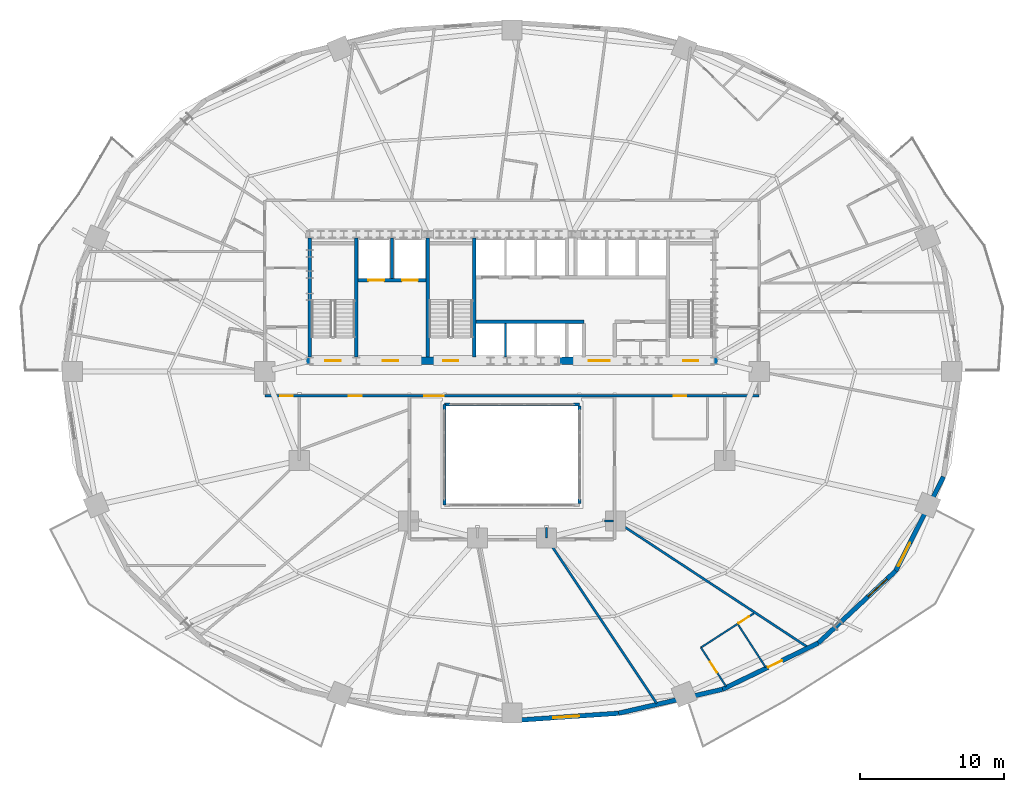
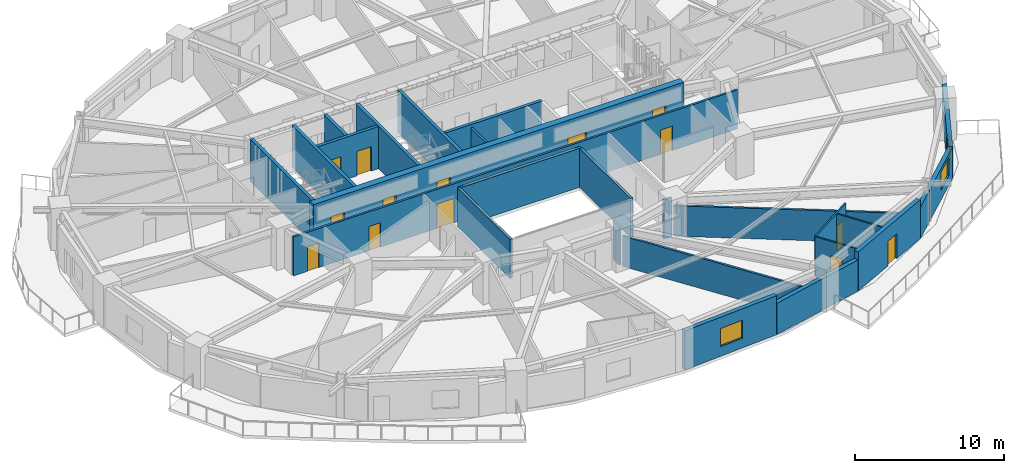
# One storey, part 10 of 17: 25 walls, 14 doors, 3 windows, 17 openings.
"""IFC4 building model written with IfcOpenShell, lengths in metres."""

from ifc_helpers import new_model, si_unit, direction, frame, frame_2d, origin, place, context, subcontext, project, spatial, rectangle, extrude, material, layer, layer_set, type_object, element, fill, save


model = new_model("IFC4")

# Units and contexts
model_context = context("Model", 3, precision=1e-05, world=origin(), true_north=direction((0.0, 1.0)))
body_context = subcontext(model_context, "Body", "Model", "MODEL_VIEW")
ifc_project = project(units=[si_unit("LENGTHUNIT", "METRE"), si_unit("AREAUNIT", "SQUARE_METRE"), si_unit("VOLUMEUNIT", "CUBIC_METRE"), si_unit("PLANEANGLEUNIT", "RADIAN"), si_unit("MASSUNIT", "GRAM", prefix="KILO")], contexts=[model_context])

# Site, building, storey
site_placement = place(None, origin())
site = spatial("IfcSite", under=ifc_project, at=site_placement, CompositionType="ELEMENT")
building_placement = place(site_placement, origin())
building = spatial("IfcBuilding", under=site, at=building_placement, Name="Haldorwick Loom Tower", CompositionType="ELEMENT")
storey_placement = place(building_placement, frame((0.0, 0.0, 58.5)))
storey = spatial("IfcBuildingStorey", under=building, at=storey_placement, Name="L15", CompositionType="ELEMENT", Elevation=58.5)

# Wall, opening, window
ifc_material_1 = material(Name="Pressed Clay Face Brick and Insulated Masonry Backup Assembly", Category="masonry")
ifc_layer_1 = layer(ifc_material_1, 0.320068359375, Name="Pressed Clay Face Brick and Insulated Masonry Backup Assembly", Category="masonry")
ifc_layer_set_1 = layer_set([ifc_layer_1], Name="Pressed Clay Face Brick and Insulated Masonry Backup Assembly")
wall_type_1 = type_object("IfcWallType", Name="ARC-WL-EXT320", PredefinedType="STANDARD", material=ifc_layer_set_1)
wall_1_placement = place(storey_placement, frame((36.0, 1.7099609375, 0.0), z_axis=(0.0, 0.0, 1.0), x_axis=(0.997645161917, 0.068586667092, 0.0)))
wall_1 = element("IfcWall", 1, at=wall_1_placement, inside=storey, type_object=wall_type_1, Name="L15 Brick Pier and Spandrel Wall 19", PredefinedType="STANDARD", context=body_context, shape_type="SweptSolid", body=[
    extrude(rectangle(XDim=7.428955078125, YDim=0.320068359375, at=frame_2d((3.71435546875, 0.0))), origin(), (0.0, 0.0, 1.0), 3.2099609375),
])
opening_1_placement = place(wall_1_placement, frame((2.874755859375, 0.0, 0.800048828125)))
opening_1 = element("IfcOpeningElement", 2, at=opening_1_placement, cuts=wall_1, Name="Opening W-01", PredefinedType="OPENING", context=body_context, shape_type="SweptSolid", body=[
    extrude(rectangle(XDim=1.800048828125, YDim=1.47998046875, at=frame_2d((0.89990234375, 0.739990234375))), frame((0.0, 0.169921875, 0.0), z_axis=(0.0, -1.0, 0.0), x_axis=(1.0, 0.0, 0.0)), (0.0, 0.0, 1.0), 0.340087890625),
])
ifc_material_2 = material(Name="Triple-Glazed Low-E Argon Insulated Glazing Unit", Category="glass")
window_type = type_object("IfcWindowType", Name="ARC-WIN-W180", PartitioningType="SINGLE_PANEL", PredefinedType="WINDOW", material=ifc_material_2)
window_1_placement = place(opening_1_placement, origin())
window_1 = element("IfcWindow", 3, at=window_1_placement, inside=storey, type_object=window_type, Name="L15 Deep-Set Zone 7A Window 19", OverallHeight=1.47998046875, OverallWidth=1.800048828125, PartitioningType="SINGLE_PANEL", PredefinedType="WINDOW", context=body_context, shape_type="SweptSolid", body=[
    extrude(rectangle(XDim=1.800048828125, YDim=1.47998046875, at=frame_2d((0.89990234375, 0.739990234375))), frame((0.0, 0.030029296875, 0.0), z_axis=(0.0, -1.0, 0.0), x_axis=(1.0, 0.0, 0.0)), (0.0, 0.0, 1.0), 0.06005859375),
])
fill(opening_1, window_1)

# Wall
wall_2_placement = place(storey_placement, frame((43.411376953125, 2.219482421875, 0.0), z_axis=(0.0, 0.0, 1.0), x_axis=(0.974522412345, 0.224290142088, 0.0)))
element("IfcWall", 4, at=wall_2_placement, inside=storey, type_object=wall_type_1, Name="L15 Brick Pier and Spandrel Wall 20", PredefinedType="STANDARD", context=body_context, shape_type="SweptSolid", body=[
    extrude(rectangle(XDim=7.422607421875, YDim=0.320068359375, at=frame_2d((3.71142578125, 0.0))), origin(), (0.0, 0.0, 1.0), 2.569091796875),
])

# Wall, opening, door
wall_3_placement = place(storey_placement, frame((50.644775390625, 3.88427734375, 0.0), z_axis=(0.0, 0.0, 1.0), x_axis=(0.900295710431, 0.435278800057, 0.0)))
wall_3 = element("IfcWall", 5, at=wall_3_placement, inside=storey, type_object=wall_type_1, Name="L15 Brick Pier and Spandrel Wall 21", PredefinedType="STANDARD", context=body_context, shape_type="SweptSolid", body=[
    extrude(rectangle(XDim=7.39697265625, YDim=0.320068359375, at=frame_2d((3.698486328125, 0.0))), origin(), (0.0, 0.0, 1.0), 3.2099609375),
])
opening_2_placement = place(wall_3_placement, frame((3.518310546875, 0.0, 0.0)))
opening_2 = element("IfcOpeningElement", 6, at=opening_2_placement, cuts=wall_3, Name="Opening D-BL11", PredefinedType="OPENING", context=body_context, shape_type="SweptSolid", body=[
    extrude(rectangle(XDim=1.080078125, YDim=2.0400390625, at=frame_2d((0.5400390625, 1.02001953125))), frame((0.0, 0.169921875, 0.0), z_axis=(0.0, -1.0, 0.0), x_axis=(1.0, 0.0, 0.0)), (0.0, 0.0, 1.0), 0.340087890625),
])
ifc_material_3 = material(Name="Thermally Broken Anodized Aluminium Curtain Wall Framing", Category="aluminium")
door_type_1 = type_object("IfcDoorType", Name="ARC-DR-BAL110", OperationType="NOTDEFINED", PredefinedType="DOOR", material=ifc_material_3)
door_1_placement = place(opening_2_placement, origin())
door_1 = element("IfcDoor", 7, at=door_1_placement, inside=storey, type_object=door_type_1, Name="L15 Outdoor Terrace Door SLB-L15-BAL_SE", OperationType="SINGLE_SWING_LEFT", OverallHeight=2.0400390625, OverallWidth=1.080078125, PredefinedType="DOOR", context=body_context, shape_type="SweptSolid", body=[
    extrude(rectangle(XDim=1.080078125, YDim=2.0400390625, at=frame_2d((0.5400390625, 1.02001953125))), frame((0.0, 0.02490234375, 0.0), z_axis=(0.0, -1.0, 0.0), x_axis=(1.0, 0.0, 0.0)), (0.0, 0.0, 1.0), 0.050048828125),
])
fill(opening_2, door_1)

# Wall, opening, window
wall_4_placement = place(storey_placement, frame((57.30419921875, 7.10400390625, 0.0), z_axis=(0.0, 0.0, 1.0), x_axis=(0.73176101237, 0.681561311091, 0.0)))
wall_4 = element("IfcWall", 8, at=wall_4_placement, inside=storey, type_object=wall_type_1, Name="L15 Brick Pier and Spandrel Wall 22", PredefinedType="STANDARD", context=body_context, shape_type="SweptSolid", body=[
    extrude(rectangle(XDim=7.3583984375, YDim=0.320068359375, at=frame_2d((3.67919921875, 0.0))), origin(), (0.0, 0.0, 1.0), 2.569091796875),
])
opening_3_placement = place(wall_4_placement, frame((4.736572265625, 0.0, 0.800048828125)))
opening_3 = element("IfcOpeningElement", 9, at=opening_3_placement, cuts=wall_4, Name="Opening W-01", PredefinedType="OPENING", context=body_context, shape_type="SweptSolid", body=[
    extrude(rectangle(XDim=1.800048828125, YDim=1.47998046875, at=frame_2d((0.89990234375, 0.739990234375))), frame((0.0, 0.169921875, 0.0), z_axis=(0.0, -1.0, 0.0), x_axis=(1.0, 0.0, 0.0)), (0.0, 0.0, 1.0), 0.340087890625),
])
window_2_placement = place(opening_3_placement, origin())
window_2 = element("IfcWindow", 10, at=window_2_placement, inside=storey, type_object=window_type, Name="L15 Deep-Set Zone 7A Window 22", OverallHeight=1.47998046875, OverallWidth=1.800048828125, PartitioningType="SINGLE_PANEL", PredefinedType="WINDOW", context=body_context, shape_type="SweptSolid", body=[
    extrude(rectangle(XDim=1.800048828125, YDim=1.47998046875, at=frame_2d((0.89990234375, 0.739990234375))), frame((0.0, 0.030029296875, 0.0), z_axis=(0.0, -1.0, 0.0), x_axis=(1.0, 0.0, 0.0)), (0.0, 0.0, 1.0), 0.06005859375),
])
fill(opening_3, window_2)

wall_5_placement = place(storey_placement, frame((62.688720703125, 12.119140625, 0.0), z_axis=(0.0, 0.0, 1.0), x_axis=(0.452950855928, 0.891535485617, 0.0)))
wall_5 = element("IfcWall", 11, at=wall_5_placement, inside=storey, type_object=wall_type_1, Name="L15 Brick Pier and Spandrel Wall 23", PredefinedType="STANDARD", context=body_context, shape_type="SweptSolid", body=[
    extrude(rectangle(XDim=7.3583984375, YDim=0.320068359375, at=frame_2d((3.67919921875, 0.0))), origin(), (0.0, 0.0, 1.0), 2.569091796875),
])
opening_4_placement = place(wall_5_placement, frame((0.400146484375, 0.0, 0.800048828125)))
opening_4 = element("IfcOpeningElement", 12, at=opening_4_placement, cuts=wall_5, Name="Opening W-01", PredefinedType="OPENING", context=body_context, shape_type="SweptSolid", body=[
    extrude(rectangle(XDim=1.800048828125, YDim=1.47998046875, at=frame_2d((0.89990234375, 0.739990234375))), frame((0.0, 0.169921875, 0.0), z_axis=(0.0, -1.0, 0.0), x_axis=(1.0, 0.0, 0.0)), (0.0, 0.0, 1.0), 0.340087890625),
])
window_3_placement = place(opening_4_placement, origin())
window_3 = element("IfcWindow", 13, at=window_3_placement, inside=storey, type_object=window_type, Name="L15 Deep-Set Zone 7A Window 23", OverallHeight=1.47998046875, OverallWidth=1.800048828125, PartitioningType="SINGLE_PANEL", PredefinedType="WINDOW", context=body_context, shape_type="SweptSolid", body=[
    extrude(rectangle(XDim=1.800048828125, YDim=1.47998046875, at=frame_2d((0.89990234375, 0.739990234375))), frame((0.0, 0.030029296875, 0.0), z_axis=(0.0, -1.0, 0.0), x_axis=(1.0, 0.0, 0.0)), (0.0, 0.0, 1.0), 0.06005859375),
])
fill(opening_4, window_3)

# Wall, openings, doors
ifc_material_4 = material(Name="Fire-Rated Type X Gypsum Stud Assembly EI 60")
ifc_layer_2 = layer(ifc_material_4, 0.159912109375, Name="Fire-Rated Type X Gypsum Stud Assembly EI 60")
ifc_layer_set_2 = layer_set([ifc_layer_2], Name="Fire-Rated Type X Gypsum Stud Assembly EI 60")
wall_type_2 = type_object("IfcWallType", Name="ARC-WL-FIRE160", PredefinedType="PARTITIONING", material=ifc_layer_set_2)
wall_6_placement = place(storey_placement, frame((18.800048828125, 24.300048828125, 0.0), z_axis=(0.0, 0.0, 1.0), x_axis=(1.0, 0.0, 0.0)))
wall_6 = element("IfcWall", 14, at=wall_6_placement, inside=storey, type_object=wall_type_2, Name="L15 Residential Fire Partition L15-CR-SP", PredefinedType="PARTITIONING", context=body_context, shape_type="SweptSolid", body=[
    extrude(rectangle(XDim=34.39990234375, YDim=0.159912109375, at=frame_2d((17.199951171875, 0.0))), origin(), (0.0, 0.0, 1.0), 3.195068359375),
])
opening_5_placement = place(wall_6_placement, frame((11.085693359375, 0.0, 0.0)))
opening_5 = element("IfcOpeningElement", 15, at=opening_5_placement, cuts=wall_6, Name="Opening D-CR15", PredefinedType="OPENING", context=body_context, shape_type="SweptSolid", body=[
    extrude(rectangle(XDim=1.35009765625, YDim=2.0, at=frame_2d((0.675048828125, 1.0))), frame((0.0, 0.08984375, 0.0), z_axis=(0.0, -1.0, 0.0), x_axis=(1.0, 0.0, 0.0)), (0.0, 0.0, 1.0), 0.179931640625),
])
opening_6_placement = place(wall_6_placement, frame((5.834716796875, 0.0, 0.0)))
opening_6 = element("IfcOpeningElement", 16, at=opening_6_placement, cuts=wall_6, Name="Opening D-FD60A", PredefinedType="OPENING", context=body_context, shape_type="SweptSolid", body=[
    extrude(rectangle(XDim=0.89990234375, YDim=2.0, at=frame_2d((0.449951171875, 1.0))), frame((0.0, 0.08984375, 0.0), z_axis=(0.0, -1.0, 0.0), x_axis=(1.0, 0.0, 0.0)), (0.0, 0.0, 1.0), 0.179931640625),
])
opening_7_placement = place(wall_6_placement, frame((28.437255859375, 0.0, 0.0)))
opening_7 = element("IfcOpeningElement", 17, at=opening_7_placement, cuts=wall_6, Name="Opening D-FD60A", PredefinedType="OPENING", context=body_context, shape_type="SweptSolid", body=[
    extrude(rectangle(XDim=0.89990234375, YDim=2.0, at=frame_2d((0.449951171875, 1.0))), frame((0.0, 0.08984375, 0.0), z_axis=(0.0, -1.0, 0.0), x_axis=(1.0, 0.0, 0.0)), (0.0, 0.0, 1.0), 0.179931640625),
])
opening_8_placement = place(wall_6_placement, frame((1.063232421875, 0.0, 0.0)))
opening_8 = element("IfcOpeningElement", 18, at=opening_8_placement, cuts=wall_6, Name="Opening D-FD60A", PredefinedType="OPENING", context=body_context, shape_type="SweptSolid", body=[
    extrude(rectangle(XDim=0.89990234375, YDim=2.0, at=frame_2d((0.449951171875, 1.0))), frame((0.0, 0.08984375, 0.0), z_axis=(0.0, -1.0, 0.0), x_axis=(1.0, 0.0, 0.0)), (0.0, 0.0, 1.0), 0.179931640625),
])
ifc_material_5 = material(Name="Thermally Broken Anodized Aluminium and Tempered Glass", Category="aluminium")
door_type_2 = type_object("IfcDoorType", Name="ARC-DR-COR150", OperationType="NOTDEFINED", PredefinedType="DOOR", material=ifc_material_5)
door_2_placement = place(opening_5_placement, origin())
door_2 = element("IfcDoor", 19, at=door_2_placement, inside=storey, type_object=door_type_2, Name="L15 L15 Central Residential Corridor to L15 South Atrium Corridor Door", OperationType="DOUBLE_DOOR_SINGLE_SWING", OverallHeight=2.0, OverallWidth=1.35009765625, PredefinedType="DOOR", context=body_context, shape_type="SweptSolid", body=[
    extrude(rectangle(XDim=1.35009765625, YDim=2.0, at=frame_2d((0.675048828125, 1.0))), frame((0.0, 0.02490234375, 0.0), z_axis=(0.0, -1.0, 0.0), x_axis=(1.0, 0.0, 0.0)), (0.0, 0.0, 1.0), 0.050048828125),
])
fill(opening_5, door_2)
ifc_material_6 = material(Name="Hollow Steel Fire Door Assembly", Category="steel")
door_type_3 = type_object("IfcDoorType", Name="ARC-DR-FD60-90", OperationType="NOTDEFINED", PredefinedType="DOOR", material=ifc_material_6)
door_3_placement = place(opening_6_placement, origin())
door_3 = element("IfcDoor", 20, at=door_3_placement, inside=storey, type_object=door_type_3, Name="L15 L15 Central Residential Corridor to Shared Dining Hall 1 Door", OperationType="SINGLE_SWING_RIGHT", OverallHeight=2.0, OverallWidth=0.89990234375, PredefinedType="DOOR", context=body_context, shape_type="SweptSolid", body=[
    extrude(rectangle(XDim=0.89990234375, YDim=2.0, at=frame_2d((0.449951171875, 1.0))), frame((0.0, 0.02490234375, 0.0), z_axis=(0.0, -1.0, 0.0), x_axis=(1.0, 0.0, 0.0)), (0.0, 0.0, 1.0), 0.050048828125),
])
fill(opening_6, door_3)
door_4_placement = place(opening_7_placement, origin())
door_4 = element("IfcDoor", 21, at=door_4_placement, inside=storey, type_object=door_type_3, Name="L15 L15 Central Residential Corridor to Common Accessible WC Door", OperationType="SINGLE_SWING_LEFT", OverallHeight=2.0, OverallWidth=0.89990234375, PredefinedType="DOOR", context=body_context, shape_type="SweptSolid", body=[
    extrude(rectangle(XDim=0.89990234375, YDim=2.0, at=frame_2d((0.449951171875, 1.0))), frame((0.0, 0.02490234375, 0.0), z_axis=(0.0, -1.0, 0.0), x_axis=(1.0, 0.0, 0.0)), (0.0, 0.0, 1.0), 0.050048828125),
])
fill(opening_7, door_4)
door_5_placement = place(opening_8_placement, origin())
door_5 = element("IfcDoor", 22, at=door_5_placement, inside=storey, type_object=door_type_3, Name="L15 L15 Central Residential Corridor to Co-Working Open Office 6 Door", OperationType="SINGLE_SWING_RIGHT", OverallHeight=2.0, OverallWidth=0.89990234375, PredefinedType="DOOR", context=body_context, shape_type="SweptSolid", body=[
    extrude(rectangle(XDim=0.89990234375, YDim=2.0, at=frame_2d((0.449951171875, 1.0))), frame((0.0, 0.02490234375, 0.0), z_axis=(0.0, -1.0, 0.0), x_axis=(1.0, 0.0, 0.0)), (0.0, 0.0, 1.0), 0.050048828125),
])
fill(opening_8, door_5)

# Walls
wall_7_placement = place(storey_placement, frame((43.23291015625, 15.578369140625, 0.0), z_axis=(0.0, 0.0, 1.0), x_axis=(0.835758656333, -0.549096957161, 0.0)))
element("IfcWall", 23, at=wall_7_placement, inside=storey, type_object=wall_type_2, Name="L15 Residential Fire Partition L15-ICR-04", PredefinedType="PARTITIONING", context=body_context, shape_type="SweptSolid", body=[
    extrude(rectangle(XDim=15.95263671875, YDim=0.159912109375, at=frame_2d((7.976318359375, 0.0))), origin(), (0.0, 0.0, 1.0), 2.489990234375),
])
wall_8_placement = place(storey_placement, frame((38.52197265625, 14.217041015625, 0.0), z_axis=(0.0, 0.0, 1.0), x_axis=(0.55469605481, -0.832053055266, 0.0)))
element("IfcWall", 24, at=wall_8_placement, inside=storey, type_object=wall_type_2, Name="L15 Residential Fire Partition L15-ICR-06", PredefinedType="PARTITIONING", context=body_context, shape_type="SweptSolid", body=[
    extrude(rectangle(XDim=13.60400390625, YDim=0.159912109375, at=frame_2d((6.802001953125, 0.0))), origin(), (0.0, 0.0, 1.0), 2.489990234375),
])
wall_9_placement = place(storey_placement, frame((42.449951171875, 15.60009765625, 0.0), z_axis=(0.0, 0.0, 1.0), x_axis=(1.0, 0.0, 0.0)))
element("IfcWall", 25, at=wall_9_placement, inside=storey, type_object=wall_type_2, Name="L15 Residential Fire Partition L15-ICA-03", PredefinedType="PARTITIONING", context=body_context, shape_type="SweptSolid", body=[
    extrude(rectangle(XDim=0.616943359375, YDim=0.159912109375, at=frame_2d((0.30859375, 0.0))), origin(), (0.0, 0.0, 1.0), 3.195068359375),
])
wall_10_placement = place(storey_placement, frame((38.39990234375, 15.14990234375, 0.0), z_axis=(0.0, 0.0, 1.0), x_axis=(0.0, -1.0, 0.0)))
element("IfcWall", 26, at=wall_10_placement, inside=storey, type_object=wall_type_2, Name="L15 Residential Fire Partition L15-ICA-05", PredefinedType="PARTITIONING", context=body_context, shape_type="SweptSolid", body=[
    extrude(rectangle(XDim=0.75, YDim=0.159912109375, at=frame_2d((0.375, 0.0))), origin(), (0.0, 0.0, 1.0), 3.195068359375),
])
ifc_material_7 = material(Name="Fire-Rated Type X Gypsum Stud Assembly EI 120")
ifc_layer_3 = layer(ifc_material_7, 0.199951171875, Name="Fire-Rated Type X Gypsum Stud Assembly EI 120")
ifc_layer_set_3 = layer_set([ifc_layer_3], Name="Fire-Rated Type X Gypsum Stud Assembly EI 120")
wall_type_3 = type_object("IfcWallType", Name="ARC-WL-FIRE200", PredefinedType="PARTITIONING", material=ifc_layer_set_3)
wall_11_placement = place(storey_placement, frame((31.300048828125, 23.699951171875, 0.0), z_axis=(0.0, 0.0, 1.0), x_axis=(1.0, 0.0, 0.0)))
element("IfcWall", 27, at=wall_11_placement, inside=storey, type_object=wall_type_3, Name="L15 Atrium Fire Enclosure Wall N", PredefinedType="PARTITIONING", context=body_context, shape_type="SweptSolid", body=[
    extrude(rectangle(XDim=9.39990234375, YDim=0.199951171875, at=frame_2d((4.699951171875, 0.0))), origin(), (0.0, 0.0, 1.0), 3.195068359375),
])
wall_12_placement = place(storey_placement, frame((31.300048828125, 16.699951171875, 0.0), z_axis=(0.0, 0.0, 1.0), x_axis=(0.0, 1.0, 0.0)))
element("IfcWall", 28, at=wall_12_placement, inside=storey, type_object=wall_type_3, Name="L15 Atrium Fire Enclosure Wall W", PredefinedType="PARTITIONING", context=body_context, shape_type="SweptSolid", body=[
    extrude(rectangle(XDim=7.0, YDim=0.199951171875, at=frame_2d((3.5, 0.0))), origin(), (0.0, 0.0, 1.0), 3.195068359375),
])
wall_13_placement = place(storey_placement, frame((40.699951171875, 23.596923828125, 0.0), z_axis=(0.0, 0.0, 1.0), x_axis=(0.0, -1.0, 0.0)))
element("IfcWall", 29, at=wall_13_placement, inside=storey, type_object=wall_type_3, Name="L15 Atrium Fire Enclosure Wall E", PredefinedType="PARTITIONING", context=body_context, shape_type="SweptSolid", body=[
    extrude(rectangle(XDim=6.7939453125, YDim=0.199951171875, at=frame_2d((3.39697265625, 0.0))), origin(), (0.0, 0.0, 1.0), 3.195068359375),
])

# Wall, opening, door
ifc_material_8 = material(Name="Acoustic Gypsum Stud Assembly STC 55")
ifc_layer_4 = layer(ifc_material_8, 0.1201171875, Name="Acoustic Gypsum Stud Assembly STC 55")
ifc_layer_set_4 = layer_set([ifc_layer_4], Name="Acoustic Gypsum Stud Assembly STC 55")
wall_type_4 = type_object("IfcWallType", Name="ARC-WL-PART120", PredefinedType="PARTITIONING", material=ifc_layer_set_4)
wall_14_placement = place(storey_placement, frame((49.145263671875, 6.7900390625, 0.0), z_axis=(0.0, 0.0, 1.0), x_axis=(0.839963858336, 0.542642346937, 0.0)))
wall_14 = element("IfcWall", 30, at=wall_14_placement, inside=storey, type_object=wall_type_4, Name="L15 Unit 15C Interior Partition", PredefinedType="PARTITIONING", context=body_context, shape_type="SweptSolid", body=[
    extrude(rectangle(XDim=4.389892578125, YDim=0.1201171875, at=frame_2d((2.19482421875, 0.0))), origin(), (0.0, 0.0, 1.0), 3.195068359375),
])
opening_9_placement = place(wall_14_placement, frame((3.112060546875, 0.0, 0.0)))
opening_9 = element("IfcOpeningElement", 31, at=opening_9_placement, cuts=wall_14, Name="Opening D-BT88", PredefinedType="OPENING", context=body_context, shape_type="SweptSolid", body=[
    extrude(rectangle(XDim=0.8798828125, YDim=2.02001953125, at=frame_2d((0.43994140625, 1.010009765625))), frame((0.0, 0.070068359375, 0.0), z_axis=(0.0, -1.0, 0.0), x_axis=(1.0, 0.0, 0.0)), (0.0, 0.0, 1.0), 0.14013671875),
])
ifc_material_9 = material(Name="Solid Core Birch Architectural Door")
door_type_4 = type_object("IfcDoorType", Name="ARC-DR-BATH88", OperationType="NOTDEFINED", PredefinedType="DOOR", material=ifc_material_9)
door_6_placement = place(opening_9_placement, origin())
door_6 = element("IfcDoor", 32, at=door_6_placement, inside=storey, type_object=door_type_4, Name="L15 Unit 15C Kitchen and Living Room to Unit 15C Bedroom 1 Door", OperationType="SINGLE_SWING_LEFT", OverallHeight=2.02001953125, OverallWidth=0.8798828125, PredefinedType="DOOR", context=body_context, shape_type="SweptSolid", body=[
    extrude(rectangle(XDim=0.8798828125, YDim=2.02001953125, at=frame_2d((0.43994140625, 1.010009765625))), frame((0.0, 0.02490234375, 0.0), z_axis=(0.0, -1.0, 0.0), x_axis=(1.0, 0.0, 0.0)), (0.0, 0.0, 1.0), 0.050048828125),
])
fill(opening_9, door_6)

wall_15_placement = place(storey_placement, frame((49.145263671875, 6.7900390625, 0.0), z_axis=(0.0, 0.0, 1.0), x_axis=(0.542705536081, -0.839923032847, 0.0)))
wall_15 = element("IfcWall", 33, at=wall_15_placement, inside=storey, type_object=wall_type_4, Name="L15 Unit 15C Interior Partition", PredefinedType="PARTITIONING", context=body_context, shape_type="SweptSolid", body=[
    extrude(rectangle(XDim=3.228271484375, YDim=0.1201171875, at=frame_2d((1.6142578125, 0.0))), origin(), (0.0, 0.0, 1.0), 3.195068359375),
])
opening_10_placement = place(wall_15_placement, frame((1.174072265625, 0.0, 0.0)))
opening_10 = element("IfcOpeningElement", 34, at=opening_10_placement, cuts=wall_15, Name="Opening D-BT88", PredefinedType="OPENING", context=body_context, shape_type="SweptSolid", body=[
    extrude(rectangle(XDim=0.8798828125, YDim=2.02001953125, at=frame_2d((0.43994140625, 1.010009765625))), frame((0.0, 0.070068359375, 0.0), z_axis=(0.0, -1.0, 0.0), x_axis=(1.0, 0.0, 0.0)), (0.0, 0.0, 1.0), 0.14013671875),
])
door_7_placement = place(opening_10_placement, origin())
door_7 = element("IfcDoor", 35, at=door_7_placement, inside=storey, type_object=door_type_4, Name="L15 Unit 15C Bathroom to Unit 15C Kitchen and Living Room Door", OperationType="SINGLE_SWING_LEFT", OverallHeight=2.02001953125, OverallWidth=0.8798828125, PredefinedType="DOOR", context=body_context, shape_type="SweptSolid", body=[
    extrude(rectangle(XDim=0.8798828125, YDim=2.02001953125, at=frame_2d((0.43994140625, 1.010009765625))), frame((0.0, 0.02490234375, 0.0), z_axis=(0.0, -1.0, 0.0), x_axis=(1.0, 0.0, 0.0)), (0.0, 0.0, 1.0), 0.050048828125),
])
fill(opening_10, door_7)

# Walls
wall_16_placement = place(storey_placement, frame((51.7294921875, 8.384521484375, 0.0), z_axis=(0.0, 0.0, 1.0), x_axis=(0.542679471731, -0.839939873421, 0.0)))
element("IfcWall", 36, at=wall_16_placement, inside=storey, type_object=wall_type_4, Name="L15 Unit 15C Interior Partition", PredefinedType="PARTITIONING", context=body_context, shape_type="SweptSolid", body=[
    extrude(rectangle(XDim=3.54150390625, YDim=0.1201171875, at=frame_2d((1.770751953125, 0.0))), origin(), (0.0, 0.0, 1.0), 3.195068359375),
])
ifc_layer_5 = layer(ifc_material_7, 0.1650390625, Name="Fire-Rated Type X Gypsum Stud Assembly EI 120")
ifc_layer_set_5 = layer_set([ifc_layer_5], Name="Fire-Rated Type X Gypsum Stud Assembly EI 120")
wall_type_5 = type_object("IfcWallType", Name="ARC-WL-SHAFT160", PredefinedType="MOVABLE", material=ifc_layer_set_5)
wall_17_placement = place(storey_placement, frame((35.550048828125, 27.0029296875, 0.0), z_axis=(0.0, 0.0, 1.0), x_axis=(0.0, 1.0, 0.0)))
element("IfcWall", 37, at=wall_17_placement, inside=storey, type_object=wall_type_5, Name="L15 Mid-Rise Hoistway Divider 1", PredefinedType="MOVABLE", context=body_context, shape_type="SweptSolid", body=[
    extrude(rectangle(XDim=2.323974609375, YDim=0.159912109375, at=frame_2d((1.162109375, 0.0))), origin(), (0.0, 0.0, 1.0), 3.195068359375),
])

# Wall, openings, doors
ifc_material_10 = material(Name="Concrete C60 (60 MPa)", Category="concrete")
ifc_layer_6 = layer(ifc_material_10, 0.5, Name="Concrete C60 (60 MPa)", Category="concrete")
ifc_layer_set_6 = layer_set([ifc_layer_6], Name="Concrete C60 (60 MPa)")
wall_type_6 = type_object("IfcWallType", Name="STR-WL-CORE500", PredefinedType="SHEAR", material=ifc_layer_set_6)
wall_18_placement = place(storey_placement, frame((21.64990234375, 26.75, 0.0), z_axis=(0.0, 0.0, 1.0), x_axis=(1.0, 0.0, 0.0)))
wall_18 = element("IfcWall", 38, at=wall_18_placement, inside=storey, type_object=wall_type_6, Name="L15 Core Shear Wall S", PredefinedType="SHEAR", context=body_context, shape_type="SweptSolid", body=[
    extrude(rectangle(XDim=28.7001953125, YDim=0.5, at=frame_2d((14.35009765625, 0.0))), origin(), (0.0, 0.0, 1.0), 3.449951171875),
])
opening_11_placement = place(wall_18_placement, frame((1.375, 0.0, 0.0)))
opening_11 = element("IfcOpeningElement", 39, at=opening_11_placement, cuts=wall_18, Name="Opening D-FD60", PredefinedType="OPENING", context=body_context, shape_type="SweptSolid", body=[
    extrude(rectangle(XDim=1.050048828125, YDim=2.0, at=frame_2d((0.52490234375, 1.0))), frame((0.0, 0.260009765625, 0.0), z_axis=(0.0, -1.0, 0.0), x_axis=(1.0, 0.0, 0.0)), (0.0, 0.0, 1.0), 0.52001953125),
])
opening_12_placement = place(wall_18_placement, frame((5.375, 0.0, 0.0)))
opening_12 = element("IfcOpeningElement", 40, at=opening_12_placement, cuts=wall_18, Name="Opening D-FD60", PredefinedType="OPENING", context=body_context, shape_type="SweptSolid", body=[
    extrude(rectangle(XDim=1.050048828125, YDim=2.0, at=frame_2d((0.52490234375, 1.0))), frame((0.0, 0.260009765625, 0.0), z_axis=(0.0, -1.0, 0.0), x_axis=(1.0, 0.0, 0.0)), (0.0, 0.0, 1.0), 0.52001953125),
])
opening_13_placement = place(wall_18_placement, frame((9.574951171875, 0.0, 0.0)))
opening_13 = element("IfcOpeningElement", 41, at=opening_13_placement, cuts=wall_18, Name="Opening D-FD60", PredefinedType="OPENING", context=body_context, shape_type="SweptSolid", body=[
    extrude(rectangle(XDim=1.050048828125, YDim=2.0, at=frame_2d((0.52490234375, 1.0))), frame((0.0, 0.260009765625, 0.0), z_axis=(0.0, -1.0, 0.0), x_axis=(1.0, 0.0, 0.0)), (0.0, 0.0, 1.0), 0.52001953125),
])
opening_14_placement = place(wall_18_placement, frame((19.705078125, 0.0, 0.0)))
opening_14 = element("IfcOpeningElement", 42, at=opening_14_placement, cuts=wall_18, Name="Opening D-LB15", PredefinedType="OPENING", context=body_context, shape_type="SweptSolid", body=[
    extrude(rectangle(XDim=1.449951171875, YDim=2.0, at=frame_2d((0.72509765625, 1.0))), frame((0.0, 0.260009765625, 0.0), z_axis=(0.0, -1.0, 0.0), x_axis=(1.0, 0.0, 0.0)), (0.0, 0.0, 1.0), 0.52001953125),
])
opening_15_placement = place(wall_18_placement, frame((26.27490234375, 0.0, 0.0)))
opening_15 = element("IfcOpeningElement", 43, at=opening_15_placement, cuts=wall_18, Name="Opening D-FD60", PredefinedType="OPENING", context=body_context, shape_type="SweptSolid", body=[
    extrude(rectangle(XDim=1.050048828125, YDim=2.0, at=frame_2d((0.52490234375, 1.0))), frame((0.0, 0.260009765625, 0.0), z_axis=(0.0, -1.0, 0.0), x_axis=(1.0, 0.0, 0.0)), (0.0, 0.0, 1.0), 0.52001953125),
])
door_type_5 = type_object("IfcDoorType", Name="ARC-DR-FD60", OperationType="NOTDEFINED", PredefinedType="DOOR", material=ifc_material_6)
door_8_placement = place(opening_11_placement, origin())
door_8 = element("IfcDoor", 44, at=door_8_placement, inside=storey, type_object=door_type_5, Name="L15 Exit Stair ST-01 Fire Door", OperationType="SINGLE_SWING_LEFT", OverallHeight=2.0, OverallWidth=1.050048828125, PredefinedType="DOOR", context=body_context, shape_type="SweptSolid", body=[
    extrude(rectangle(XDim=1.050048828125, YDim=2.0, at=frame_2d((0.52490234375, 1.0))), frame((0.0, 0.02490234375, 0.0), z_axis=(0.0, -1.0, 0.0), x_axis=(1.0, 0.0, 0.0)), (0.0, 0.0, 1.0), 0.050048828125),
])
fill(opening_11, door_8)
door_9_placement = place(opening_12_placement, origin())
door_9 = element("IfcDoor", 45, at=door_9_placement, inside=storey, type_object=door_type_5, Name="L15 Firefighting Lift Lobby Fire Door", OperationType="SINGLE_SWING_RIGHT", OverallHeight=2.0, OverallWidth=1.050048828125, PredefinedType="DOOR", context=body_context, shape_type="SweptSolid", body=[
    extrude(rectangle(XDim=1.050048828125, YDim=2.0, at=frame_2d((0.52490234375, 1.0))), frame((0.0, 0.02490234375, 0.0), z_axis=(0.0, -1.0, 0.0), x_axis=(1.0, 0.0, 0.0)), (0.0, 0.0, 1.0), 0.050048828125),
])
fill(opening_12, door_9)
door_10_placement = place(opening_13_placement, origin())
door_10 = element("IfcDoor", 46, at=door_10_placement, inside=storey, type_object=door_type_5, Name="L15 Exit Stair ST-03 Fire Door", OperationType="SINGLE_SWING_LEFT", OverallHeight=2.0, OverallWidth=1.050048828125, PredefinedType="DOOR", context=body_context, shape_type="SweptSolid", body=[
    extrude(rectangle(XDim=1.050048828125, YDim=2.0, at=frame_2d((0.52490234375, 1.0))), frame((0.0, 0.02490234375, 0.0), z_axis=(0.0, -1.0, 0.0), x_axis=(1.0, 0.0, 0.0)), (0.0, 0.0, 1.0), 0.050048828125),
])
fill(opening_13, door_10)
door_11_placement = place(opening_15_placement, origin())
door_11 = element("IfcDoor", 47, at=door_11_placement, inside=storey, type_object=door_type_5, Name="L15 Exit Stair ST-02 Fire Door", OperationType="SINGLE_SWING_LEFT", OverallHeight=2.0, OverallWidth=1.050048828125, PredefinedType="DOOR", context=body_context, shape_type="SweptSolid", body=[
    extrude(rectangle(XDim=1.050048828125, YDim=2.0, at=frame_2d((0.52490234375, 1.0))), frame((0.0, 0.02490234375, 0.0), z_axis=(0.0, -1.0, 0.0), x_axis=(1.0, 0.0, 0.0)), (0.0, 0.0, 1.0), 0.050048828125),
])
fill(opening_15, door_11)
door_type_6 = type_object("IfcDoorType", Name="ARC-DR-LOB150", OperationType="NOTDEFINED", PredefinedType="DOOR", material=ifc_material_5)
door_12_placement = place(opening_14_placement, frame((1.449951171875, 0.0, 0.0), z_axis=(0.0, 0.0, 1.0), x_axis=(-1.0, 0.0, 0.0)))
door_12 = element("IfcDoor", 48, at=door_12_placement, inside=storey, type_object=door_type_6, Name="L15 Passenger Lift Lobby Fire Door", OperationType="DOUBLE_DOOR_SINGLE_SWING", OverallHeight=2.0, OverallWidth=1.449951171875, PredefinedType="DOOR", context=body_context, shape_type="SweptSolid", body=[
    extrude(rectangle(XDim=1.449951171875, YDim=2.0, at=frame_2d((0.72509765625, 1.0))), frame((0.0, 0.02490234375, 0.0), z_axis=(0.0, -1.0, 0.0), x_axis=(1.0, 0.0, 0.0)), (0.0, 0.0, 1.0), 0.050048828125),
])
fill(opening_14, door_12)

# Walls
ifc_material_11 = material(Name="Concrete C50 (50 MPa)", Category="concrete")
ifc_layer_7 = layer(ifc_material_11, 0.239990234375, Name="Concrete C50 (50 MPa)", Category="concrete")
ifc_layer_set_7 = layer_set([ifc_layer_7], Name="Concrete C50 (50 MPa)")
wall_type_7 = type_object("IfcWallType", Name="STR-WL-SHAFT240", PredefinedType="SHEAR", material=ifc_layer_set_7)
for number, where, z_axis, x_axis, name in (
    (49, (21.929931640625, 35.297119140625, 0.0), (0.0, 0.0, 1.0), (0.0, -1.0, 0.0), "L15 Core Shear Wall W"),
    (50, (25.169921875, 27.0029296875, 0.0), (0.0, 0.0, 1.0), (0.0, 1.0, 0.0), "L15 Core Shear Wall 1"),
    (51, (30.1298828125, 27.0029296875, 0.0), (0.0, 0.0, 1.0), (0.0, 1.0, 0.0), "L15 Core Shear Wall 2"),
    (52, (33.3701171875, 27.0029296875, 0.0), (0.0, 0.0, 1.0), (0.0, 1.0, 0.0), "L15 Core Shear Wall 3"),
):
    element("IfcWall", number, at=place(storey_placement, frame(where, z_axis=z_axis, x_axis=x_axis)), inside=storey, type_object=wall_type_7, Name=name, PredefinedType="SHEAR", context=body_context, shape_type="SweptSolid", body=[
        extrude(rectangle(XDim=8.294189453125, YDim=0.239990234375, at=frame_2d((4.14697265625, 0.0))), origin(), (0.0, 0.0, 1.0), 3.449951171875),
    ])

# Wall, openings, doors
wall_19_placement = place(storey_placement, frame((25.29296875, 32.35009765625, 0.0), z_axis=(0.0, 0.0, 1.0), x_axis=(1.0, 0.0, 0.0)))
wall_19 = element("IfcWall", 53, at=wall_19_placement, inside=storey, type_object=wall_type_7, Name="L15 Core Shear Wall FF", PredefinedType="SHEAR", context=body_context, shape_type="SweptSolid", body=[
    extrude(rectangle(XDim=4.714111328125, YDim=0.239990234375, at=frame_2d((2.35693359375, 0.0))), origin(), (0.0, 0.0, 1.0), 3.449951171875),
])
opening_16_placement = place(wall_19_placement, frame((0.70703125, 0.0, 0.0)))
opening_16 = element("IfcOpeningElement", 54, at=opening_16_placement, cuts=wall_19, Name="Opening LD-FF1", PredefinedType="OPENING", context=body_context, shape_type="SweptSolid", body=[
    extrude(rectangle(XDim=1.10009765625, YDim=2.0, at=frame_2d((0.550048828125, 1.0))), frame((0.0, 0.1298828125, 0.0), z_axis=(0.0, -1.0, 0.0), x_axis=(1.0, 0.0, 0.0)), (0.0, 0.0, 1.0), 0.260009765625),
])
opening_17_placement = place(wall_19_placement, frame((3.056884765625, 0.0, 0.0)))
opening_17 = element("IfcOpeningElement", 55, at=opening_17_placement, cuts=wall_19, Name="Opening LD-FF2", PredefinedType="OPENING", context=body_context, shape_type="SweptSolid", body=[
    extrude(rectangle(XDim=1.10009765625, YDim=2.0, at=frame_2d((0.550048828125, 1.0))), frame((0.0, 0.1298828125, 0.0), z_axis=(0.0, -1.0, 0.0), x_axis=(1.0, 0.0, 0.0)), (0.0, 0.0, 1.0), 0.260009765625),
])
door_type_7 = type_object("IfcDoorType", Name="ARC-DR-LD-FF", OperationType="NOTDEFINED", PredefinedType="USERDEFINED", material=ifc_material_6)
door_13_placement = place(opening_16_placement, origin())
door_13 = element("IfcDoor", 56, at=door_13_placement, inside=storey, type_object=door_type_7, Name="L15 Lift LF-FF1 Sliding Landing Door", ObjectType="LANDING DOOR", OperationType="DOUBLE_DOOR_SLIDING", OverallHeight=2.0, OverallWidth=1.10009765625, PredefinedType="USERDEFINED", context=body_context, shape_type="SweptSolid", body=[
    extrude(rectangle(XDim=1.10009765625, YDim=2.0, at=frame_2d((0.550048828125, 1.0))), frame((0.0, 0.02490234375, 0.0), z_axis=(0.0, -1.0, 0.0), x_axis=(1.0, 0.0, 0.0)), (0.0, 0.0, 1.0), 0.050048828125),
])
fill(opening_16, door_13)
door_14_placement = place(opening_17_placement, origin())
door_14 = element("IfcDoor", 57, at=door_14_placement, inside=storey, type_object=door_type_7, Name="L15 Lift LF-FF2 Sliding Landing Door", ObjectType="LANDING DOOR", OperationType="DOUBLE_DOOR_SLIDING", OverallHeight=2.0, OverallWidth=1.10009765625, PredefinedType="USERDEFINED", context=body_context, shape_type="SweptSolid", body=[
    extrude(rectangle(XDim=1.10009765625, YDim=2.0, at=frame_2d((0.550048828125, 1.0))), frame((0.0, 0.02490234375, 0.0), z_axis=(0.0, -1.0, 0.0), x_axis=(1.0, 0.0, 0.0)), (0.0, 0.0, 1.0), 0.050048828125),
])
fill(opening_17, door_14)

# Walls
wall_20_placement = place(storey_placement, frame((27.64990234375, 32.472900390625, 0.0), z_axis=(0.0, 0.0, 1.0), x_axis=(0.0, 1.0, 0.0)))
element("IfcWall", 58, at=wall_20_placement, inside=storey, type_object=wall_type_7, Name="L15 Core Shear Wall FFD", PredefinedType="SHEAR", context=body_context, shape_type="SweptSolid", body=[
    extrude(rectangle(XDim=2.82421875, YDim=0.239990234375, at=frame_2d((1.412109375, 0.0))), origin(), (0.0, 0.0, 1.0), 3.449951171875),
])
wall_21_placement = place(storey_placement, frame((33.492919921875, 29.449951171875, 0.0), z_axis=(0.0, 0.0, 1.0), x_axis=(1.0, 0.0, 0.0)))
element("IfcWall", 59, at=wall_21_placement, inside=storey, type_object=wall_type_7, Name="L15 Core Shear Wall LS1", PredefinedType="SHEAR", context=body_context, shape_type="SweptSolid", body=[
    extrude(rectangle(XDim=7.507080078125, YDim=0.239990234375, at=frame_2d((3.75341796875, 0.0))), origin(), (0.0, 0.0, 1.0), 3.449951171875),
])

save(model, "model.ifc")
